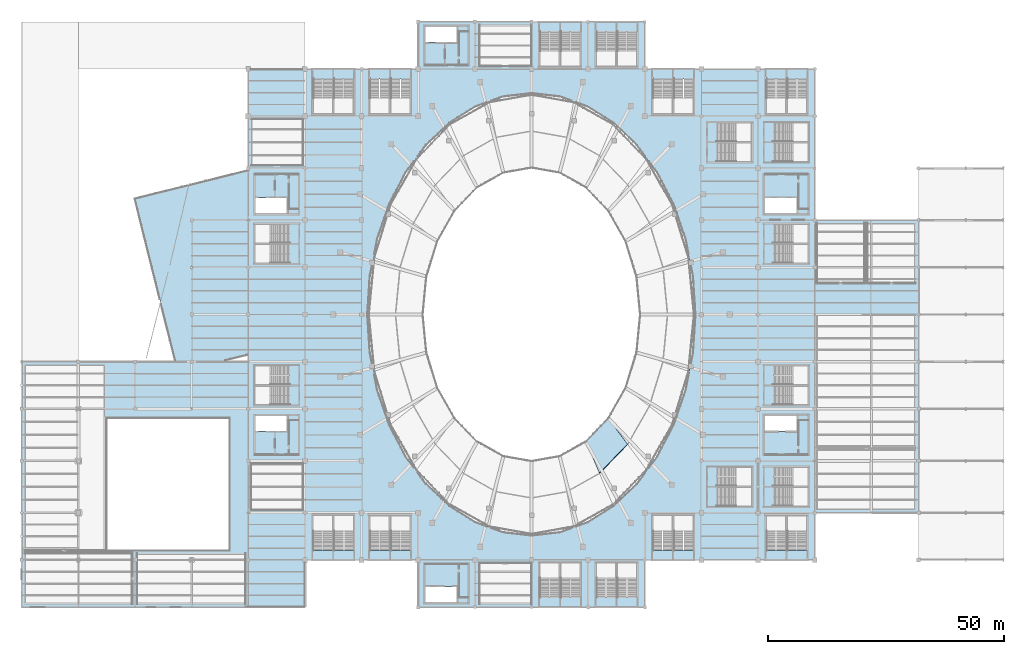
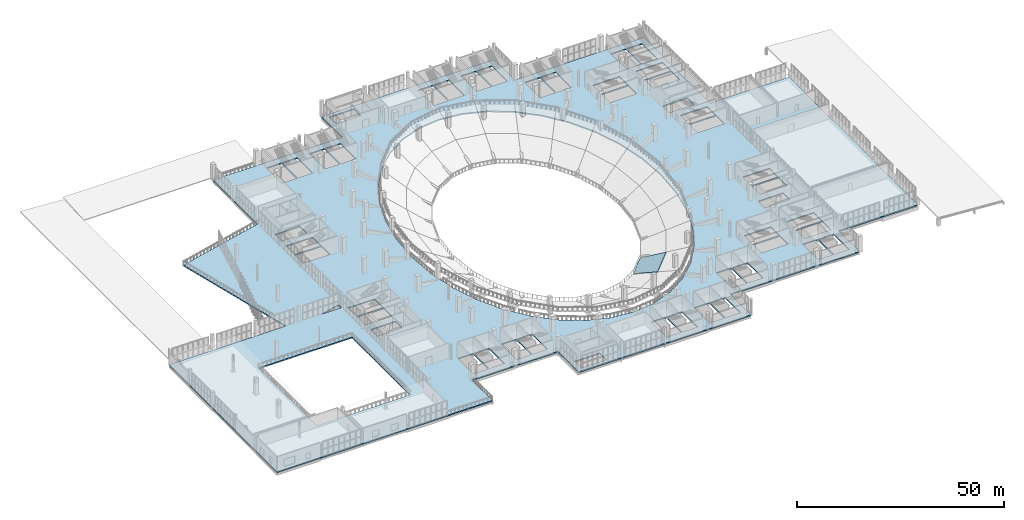
# One storey, part 96 of 136: 2 slabs.
"""IFC4 building model written with IfcOpenShell, lengths in metres."""

from ifc_helpers import new_model, si_unit, direction, frame, origin, place, context, subcontext, project, spatial, polyline, outline, extrude, material, layer, layer_set, type_object, element, save


model = new_model("IFC4")

# Units and contexts
model_context = context("Model", 3, precision=1e-05, world=origin(), true_north=direction((0.0, 1.0)))
body_context = subcontext(model_context, "Body", "Model", "MODEL_VIEW")
ifc_project = project(units=[si_unit("LENGTHUNIT", "METRE"), si_unit("AREAUNIT", "SQUARE_METRE"), si_unit("VOLUMEUNIT", "CUBIC_METRE"), si_unit("PLANEANGLEUNIT", "RADIAN"), si_unit("MASSUNIT", "GRAM", prefix="KILO")], contexts=[model_context])

# Site, building, storey
site_placement = place(None, origin())
site = spatial("IfcSite", under=ifc_project, at=site_placement, CompositionType="ELEMENT")
building_placement = place(site_placement, origin())
building = spatial("IfcBuilding", under=site, at=building_placement, Name="Brinegate Civic Arena", CompositionType="ELEMENT")
storey_placement = place(building_placement, frame((0.0, 0.0, 5.39990234375)))
storey = spatial("IfcBuildingStorey", under=building, at=storey_placement, Name="L01", CompositionType="ELEMENT", Elevation=5.39990234375)

# Slabs
ifc_material_1 = material(Name="Concrete C40/50", Category="concrete")
ifc_layer_1 = layer(ifc_material_1, 0.340087890625, Name="Concrete C40/50")
ifc_layer_set_1 = layer_set([ifc_layer_1], Name="Concrete C40/50")
slab_type_1 = type_object("IfcSlabType", Name="SLAB-CONC-340", PredefinedType="FLOOR", material=ifc_layer_set_1)
slab_1_placement = place(storey_placement, frame((0.0, 0.0, -0.33984375)))
element("IfcSlab", 1, at=slab_1_placement, inside=storey, type_object=slab_type_1, Name="Main Spectator Concourse and Mezzanine Slab", PredefinedType="FLOOR", context=body_context, shape_type="SweptSolid", body=[
    extrude(outline(polyline([(0.0, 52.0), (32.4970703125, 52.0), (23.87890625, 86.56494140625), (48.0, 92.5791015625), (48.0, 114.0), (84.0, 114.0), (84.0, 124.0), (132.0, 124.0), (132.0, 114.0), (168.0, 114.0), (168.0, 82.0), (190.0, 82.0), (190.0, 20.0), (168.0, 20.0), (168.0, 10.0), (132.0, 10.0), (132.0, 0.0), (84.0, 0.0), (84.0, 10.0), (60.0, 10.0), (60.0, 0.0), (0.0, 0.0), (0.0, 52.0)]), holes=[polyline([(48.0, 53.416015625), (42.321044921875, 52.0), (48.0, 52.0), (48.0, 53.416015625)]), polyline([(85.5, 1.10009765625), (92.39990234375, 1.10009765625), (92.39990234375, 4.300048828125), (85.5, 4.300048828125), (85.5, 1.10009765625)]), polyline([(61.695068359375, 19.455078125), (61.695068359375, 12.050048828125), (65.85498046875, 12.050048828125), (65.85498046875, 19.455078125), (61.695068359375, 19.455078125)]), polyline([(66.14501953125, 19.455078125), (66.14501953125, 12.050048828125), (70.304931640625, 12.050048828125), (70.304931640625, 19.455078125), (66.14501953125, 19.455078125)]), polyline([(73.695068359375, 12.050048828125), (77.85498046875, 12.050048828125), (77.85498046875, 19.455078125), (73.695068359375, 19.455078125), (73.695068359375, 12.050048828125)]), polyline([(78.14501953125, 19.455078125), (78.14501953125, 12.050048828125), (82.304931640625, 12.050048828125), (82.304931640625, 19.455078125), (78.14501953125, 19.455078125)]), polyline([(18.0, 40.0), (18.0, 12.0), (44.0, 12.0), (44.0, 40.0), (18.0, 40.0)]), polyline([(49.5, 37.300048828125), (56.39990234375, 37.300048828125), (56.39990234375, 40.5), (49.5, 40.5), (49.5, 37.300048828125)]), polyline([(49.344970703125, 46.85498046875), (49.344970703125, 42.844970703125), (56.75, 42.844970703125), (56.75, 46.85498046875), (49.344970703125, 46.85498046875)]), polyline([(49.344970703125, 51.155029296875), (49.344970703125, 47.14501953125), (56.75, 47.14501953125), (56.75, 51.155029296875), (49.344970703125, 51.155029296875)]), polyline([(49.344970703125, 72.844970703125), (56.75, 72.844970703125), (56.75, 76.85498046875), (49.344970703125, 76.85498046875), (49.344970703125, 72.844970703125)]), polyline([(49.344970703125, 81.155029296875), (49.344970703125, 77.14501953125), (56.75, 77.14501953125), (56.75, 81.155029296875), (49.344970703125, 81.155029296875)]), polyline([(49.5, 86.699951171875), (49.5, 83.5), (56.39990234375, 83.5), (56.39990234375, 86.699951171875), (49.5, 86.699951171875)]), polyline([(61.695068359375, 104.544921875), (65.85498046875, 104.544921875), (65.85498046875, 111.949951171875), (61.695068359375, 111.949951171875), (61.695068359375, 104.544921875)]), polyline([(66.14501953125, 111.949951171875), (66.14501953125, 104.544921875), (70.304931640625, 104.544921875), (70.304931640625, 111.949951171875), (66.14501953125, 111.949951171875)]), polyline([(73.695068359375, 111.949951171875), (73.695068359375, 104.544921875), (77.85498046875, 104.544921875), (77.85498046875, 111.949951171875), (73.695068359375, 111.949951171875)]), polyline([(78.14501953125, 104.544921875), (82.304931640625, 104.544921875), (82.304931640625, 111.949951171875), (78.14501953125, 111.949951171875), (78.14501953125, 104.544921875)]), polyline([(109.695068359375, 9.455078125), (109.695068359375, 2.050048828125), (113.85498046875, 2.050048828125), (113.85498046875, 9.455078125), (109.695068359375, 9.455078125)]), polyline([(114.14501953125, 9.455078125), (114.14501953125, 2.050048828125), (118.304931640625, 2.050048828125), (118.304931640625, 9.455078125), (114.14501953125, 9.455078125)]), polyline([(121.695068359375, 2.050048828125), (125.85498046875, 2.050048828125), (125.85498046875, 9.455078125), (121.695068359375, 9.455078125), (121.695068359375, 2.050048828125)]), polyline([(126.14501953125, 9.455078125), (126.14501953125, 2.050048828125), (130.304931640625, 2.050048828125), (130.304931640625, 9.455078125), (126.14501953125, 9.455078125)]), polyline([(133.695068359375, 19.455078125), (133.695068359375, 12.050048828125), (137.85498046875, 12.050048828125), (137.85498046875, 19.455078125), (133.695068359375, 19.455078125)]), polyline([(138.14501953125, 12.050048828125), (142.304931640625, 12.050048828125), (142.304931640625, 19.455078125), (138.14501953125, 19.455078125), (138.14501953125, 12.050048828125)]), polyline([(147.25, 25.35498046875), (147.25, 21.344970703125), (154.655029296875, 21.344970703125), (154.655029296875, 25.35498046875), (147.25, 25.35498046875)]), polyline([(147.25, 29.655029296875), (147.25, 25.64501953125), (154.655029296875, 25.64501953125), (154.655029296875, 29.655029296875), (147.25, 29.655029296875)]), polyline([(134.58203125, 31.91796875), (138.051025390625, 38.60009765625), (140.60693359375, 45.992919921875), (142.173095703125, 53.873046875), (142.699951171875, 62.0), (142.173095703125, 70.126953125), (140.60693359375, 78.007080078125), (138.051025390625, 85.39990234375), (134.58203125, 92.08203125), (130.304931640625, 97.85107421875), (125.35009765625, 102.530029296875), (119.867919921875, 105.97802734375), (114.02587890625, 108.089111328125), (108.0, 108.800048828125), (101.97412109375, 108.089111328125), (96.132080078125, 105.97802734375), (90.64990234375, 102.530029296875), (85.695068359375, 97.85107421875), (81.41796875, 92.08203125), (77.948974609375, 85.39990234375), (75.39306640625, 78.007080078125), (73.826904296875, 70.126953125), (73.300048828125, 62.0), (73.826904296875, 53.873046875), (75.39306640625, 45.992919921875), (77.948974609375, 38.60009765625), (81.41796875, 31.91796875), (85.695068359375, 26.14892578125), (90.64990234375, 21.469970703125), (96.132080078125, 18.02197265625), (101.97412109375, 15.910888671875), (108.0, 15.199951171875), (114.02587890625, 15.910888671875), (119.867919921875, 18.02197265625), (125.35009765625, 21.469970703125), (130.304931640625, 26.14892578125), (134.58203125, 31.91796875)]), polyline([(133.695068359375, 111.949951171875), (133.695068359375, 104.544921875), (137.85498046875, 104.544921875), (137.85498046875, 111.949951171875), (133.695068359375, 111.949951171875)]), polyline([(138.14501953125, 111.949951171875), (138.14501953125, 104.544921875), (142.304931640625, 104.544921875), (142.304931640625, 111.949951171875), (138.14501953125, 111.949951171875)]), polyline([(109.695068359375, 114.544921875), (113.85498046875, 114.544921875), (113.85498046875, 121.949951171875), (109.695068359375, 121.949951171875), (109.695068359375, 114.544921875)]), polyline([(114.14501953125, 121.949951171875), (114.14501953125, 114.544921875), (118.304931640625, 114.544921875), (118.304931640625, 121.949951171875), (114.14501953125, 121.949951171875)]), polyline([(121.695068359375, 121.949951171875), (121.695068359375, 114.544921875), (125.85498046875, 114.544921875), (125.85498046875, 121.949951171875), (121.695068359375, 121.949951171875)]), polyline([(126.14501953125, 114.544921875), (130.304931640625, 114.544921875), (130.304931640625, 121.949951171875), (126.14501953125, 121.949951171875), (126.14501953125, 114.544921875)]), polyline([(85.5, 122.89990234375), (85.5, 119.699951171875), (92.39990234375, 119.699951171875), (92.39990234375, 122.89990234375), (85.5, 122.89990234375)]), polyline([(157.695068359375, 19.455078125), (157.695068359375, 12.050048828125), (161.85498046875, 12.050048828125), (161.85498046875, 19.455078125), (157.695068359375, 19.455078125)]), polyline([(162.14501953125, 12.050048828125), (166.304931640625, 12.050048828125), (166.304931640625, 19.455078125), (162.14501953125, 19.455078125), (162.14501953125, 12.050048828125)]), polyline([(159.25, 25.35498046875), (159.25, 21.344970703125), (166.655029296875, 21.344970703125), (166.655029296875, 25.35498046875), (159.25, 25.35498046875)]), polyline([(159.25, 29.655029296875), (159.25, 25.64501953125), (166.655029296875, 25.64501953125), (166.655029296875, 29.655029296875), (159.25, 29.655029296875)]), polyline([(157.5, 37.300048828125), (164.39990234375, 37.300048828125), (164.39990234375, 40.5), (157.5, 40.5), (157.5, 37.300048828125)]), polyline([(159.25, 46.85498046875), (159.25, 42.844970703125), (166.655029296875, 42.844970703125), (166.655029296875, 46.85498046875), (159.25, 46.85498046875)]), polyline([(159.25, 51.155029296875), (159.25, 47.14501953125), (166.655029296875, 47.14501953125), (166.655029296875, 51.155029296875), (159.25, 51.155029296875)]), polyline([(159.25, 72.844970703125), (166.655029296875, 72.844970703125), (166.655029296875, 76.85498046875), (159.25, 76.85498046875), (159.25, 72.844970703125)]), polyline([(159.25, 81.155029296875), (159.25, 77.14501953125), (166.655029296875, 77.14501953125), (166.655029296875, 81.155029296875), (159.25, 81.155029296875)]), polyline([(157.5, 86.699951171875), (157.5, 83.5), (164.39990234375, 83.5), (164.39990234375, 86.699951171875), (157.5, 86.699951171875)]), polyline([(147.25, 94.344970703125), (154.655029296875, 94.344970703125), (154.655029296875, 98.35498046875), (147.25, 98.35498046875), (147.25, 94.344970703125)]), polyline([(159.25, 98.35498046875), (159.25, 94.344970703125), (166.655029296875, 94.344970703125), (166.655029296875, 98.35498046875), (159.25, 98.35498046875)]), polyline([(147.25, 102.655029296875), (147.25, 98.64501953125), (154.655029296875, 98.64501953125), (154.655029296875, 102.655029296875), (147.25, 102.655029296875)]), polyline([(159.25, 98.64501953125), (166.655029296875, 98.64501953125), (166.655029296875, 102.655029296875), (159.25, 102.655029296875), (159.25, 98.64501953125)]), polyline([(157.695068359375, 111.949951171875), (157.695068359375, 104.544921875), (161.85498046875, 104.544921875), (161.85498046875, 111.949951171875), (157.695068359375, 111.949951171875)]), polyline([(162.14501953125, 111.949951171875), (162.14501953125, 104.544921875), (166.304931640625, 104.544921875), (166.304931640625, 111.949951171875), (162.14501953125, 111.949951171875)])]), origin(), (0.0, 0.0, 1.0), 0.33984375),
])
ifc_material_2 = material(Name="Precast concrete C45/55", Category="concrete")
ifc_layer_2 = layer(ifc_material_2, 0.260009765625, Name="Precast concrete C45/55")
ifc_layer_set_2 = layer_set([ifc_layer_2], Name="Precast concrete C45/55")
slab_type_2 = type_object("IfcSlabType", Name="SLAB-TIER-LWR-260", PredefinedType="USERDEFINED", material=ifc_layer_set_2)
slab_2_placement = place(storey_placement, frame((119.5, 35.110107421875, -4.7998046875), z_axis=(-0.339037355806, 0.327287023241, 0.882007299168), x_axis=(0.694535050303, 0.719458868791, 4.28053e-06)))
element("IfcSlab", 2, at=slab_2_placement, inside=storey, type_object=slab_type_2, Name="Stand Lower Tier Bay A21", ObjectType="SEATING TIER", PredefinedType="USERDEFINED", context=body_context, shape_type="SweptSolid", body=[
    extrude(outline(polyline([(0.0, 0.0), (6.857721820254445, -8.881784197001252e-16), (5.732709767561201, -7.639125513034367), (-2.8402222802732644, -7.639265679341577), (0.0, 0.0)])), origin(), (0.0, 0.0, -1.0), 0.260009765625),
])

save(model, "model.ifc")
